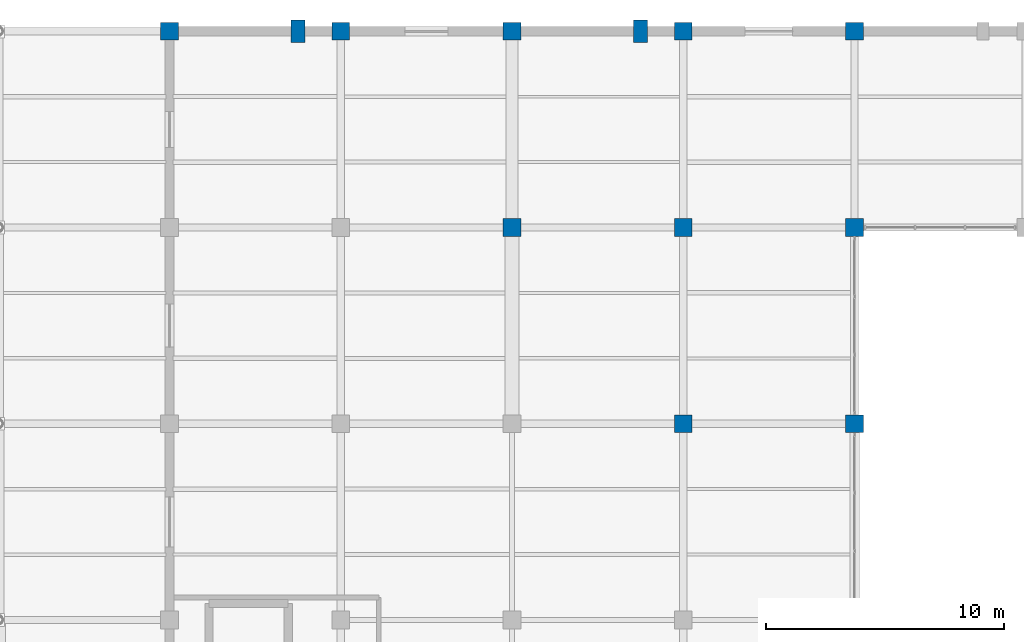
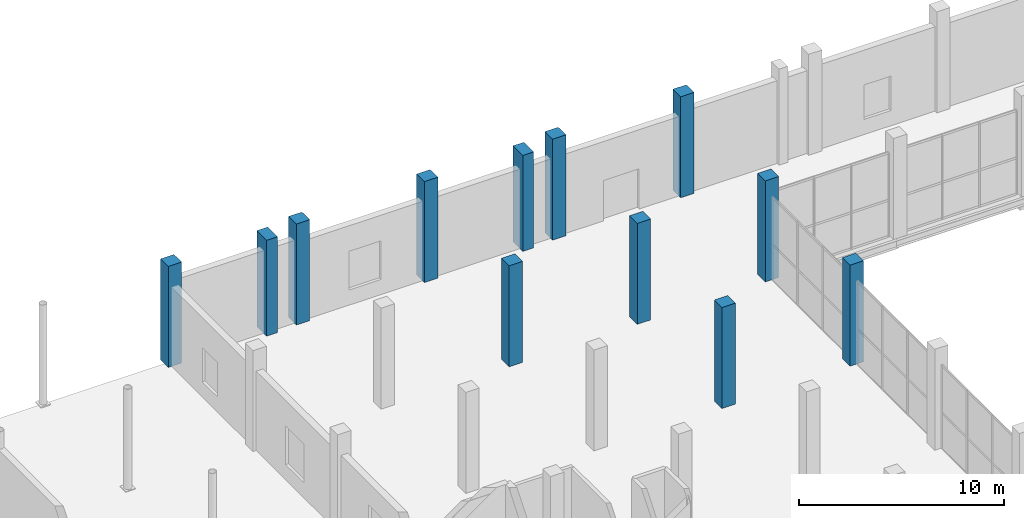
# One storey, part 10 of 144: 12 columns.
"""IFC4 building model written with IfcOpenShell, lengths in metres."""

from ifc_helpers import new_model, si_unit, direction, frame, origin, origin_2d, place, context, subcontext, project, spatial, rectangle, extrude, material, material_profile, profile_set, type_object, element, save


model = new_model("IFC4")

# Units and contexts
model_context = context("Model", 3, precision=1e-05, world=origin(), true_north=direction((0.0, 1.0)))
body_context = subcontext(model_context, "Body", "Model", "MODEL_VIEW")
ifc_project = project(units=[si_unit("LENGTHUNIT", "METRE"), si_unit("AREAUNIT", "SQUARE_METRE"), si_unit("VOLUMEUNIT", "CUBIC_METRE"), si_unit("PLANEANGLEUNIT", "RADIAN"), si_unit("MASSUNIT", "GRAM", prefix="KILO")], contexts=[model_context])

# Site, building, storey
site_placement = place(None, origin())
site = spatial("IfcSite", under=ifc_project, at=site_placement, CompositionType="ELEMENT")
building_placement = place(site_placement, origin())
building = spatial("IfcBuilding", under=site, at=building_placement, Name="Sundgate Opera House", CompositionType="ELEMENT")
storey_placement = place(building_placement, origin())
storey = spatial("IfcBuildingStorey", under=building, at=storey_placement, Name="L00", CompositionType="ELEMENT", Elevation=0.0)

# Columns
ifc_material_1 = material(Name="Concrete C40/50", Category="concrete")
ifc_material_profile_1 = material_profile(ifc_material_1, rectangle(XDim=0.75, YDim=0.75, at=origin_2d()), Name="RC 750x750")
ifc_profile_set_1 = profile_set([ifc_material_profile_1], Name="Concrete C40/50")
column_type_1 = type_object("IfcColumnType", Name="CL-RC-750", PredefinedType="COLUMN", material=ifc_profile_set_1)
for number, where, z_axis, x_axis, name in (
    (1, (95.39990234375, 120.0, 0.0), (0.0, 0.0, 1.0), (1.0, 0.0, 0.0), "L00 Column C0691"),
    (2, (102.60009765625, 120.0, 0.0), (0.0, 0.0, 1.0), (1.0, 0.0, 0.0), "L00 Column C0755"),
    (3, (109.800048828125, 111.75, 0.0), (0.0, 0.0, 1.0), (1.0, 0.0, 0.0), "L00 Column C0812"),
    (4, (109.800048828125, 120.0, 0.0), (0.0, 0.0, 1.0), (1.0, 0.0, 0.0), "L00 Column C0816"),
    (5, (117.0, 103.5, 0.0), (0.0, 0.0, 1.0), (1.0, 0.0, 0.0), "L00 Column C0870"),
    (6, (117.0, 111.75, 0.0), (0.0, 0.0, 1.0), (1.0, 0.0, 0.0), "L00 Column C0876"),
    (7, (117.0, 120.0, 0.0), (0.0, 0.0, 1.0), (1.0, 0.0, 0.0), "L00 Column C0880"),
    (8, (124.199951171875, 103.5, 0.0), (0.0, 0.0, 1.0), (1.0, 0.0, 0.0), "L00 Column C0933"),
    (9, (124.199951171875, 111.75, 0.0), (0.0, 0.0, 1.0), (1.0, 0.0, 0.0), "L00 Column C0939"),
    (10, (124.199951171875, 120.0, 0.0), (0.0, 0.0, 1.0), (1.0, 0.0, 0.0), "L00 Column C0943"),
):
    element("IfcColumn", number, at=place(storey_placement, frame(where, z_axis=z_axis, x_axis=x_axis)), inside=storey, type_object=column_type_1, Name=name, PredefinedType="COLUMN", context=body_context, shape_type="SweptSolid", body=[
        extrude(rectangle(XDim=0.75, YDim=0.75, at=origin_2d()), origin(), (0.0, 0.0, 1.0), 6.0),
    ])
ifc_material_2 = material(Name="Precast concrete C40/50", Category="concrete")
ifc_material_profile_2 = material_profile(ifc_material_2, rectangle(XDim=0.60009765625, YDim=0.949951171875, at=origin_2d()), Name="RC 600x950")
ifc_profile_set_2 = profile_set([ifc_material_profile_2], Name="Precast concrete C40/50")
column_type_2 = type_object("IfcColumnType", Name="PL-RC-600", PredefinedType="PILASTER", material=ifc_profile_set_2)
for number, where, z_axis, x_axis, name in (
    (11, (100.800048828125, 120.0, 0.0), (0.0, 0.0, 1.0), (1.0, 0.0, 0.0), "L00 Facade Pilaster C1250"),
    (12, (115.199951171875, 120.0, 0.0), (0.0, 0.0, 1.0), (1.0, 0.0, 0.0), "L00 Facade Pilaster C1253"),
):
    element("IfcColumn", number, at=place(storey_placement, frame(where, z_axis=z_axis, x_axis=x_axis)), inside=storey, type_object=column_type_2, Name=name, PredefinedType="PILASTER", context=body_context, shape_type="SweptSolid", body=[
        extrude(rectangle(XDim=0.60009765625, YDim=0.949951171875, at=origin_2d()), origin(), (0.0, 0.0, 1.0), 5.699951171875),
    ])

save(model, "model.ifc")
